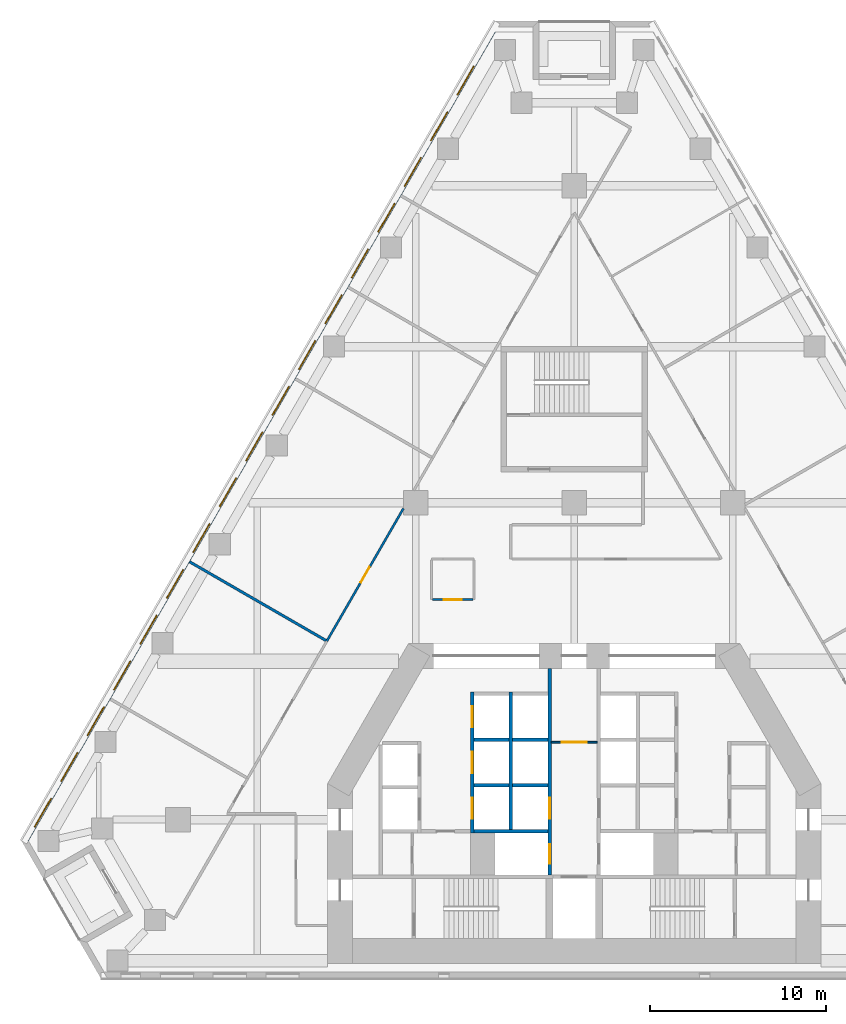
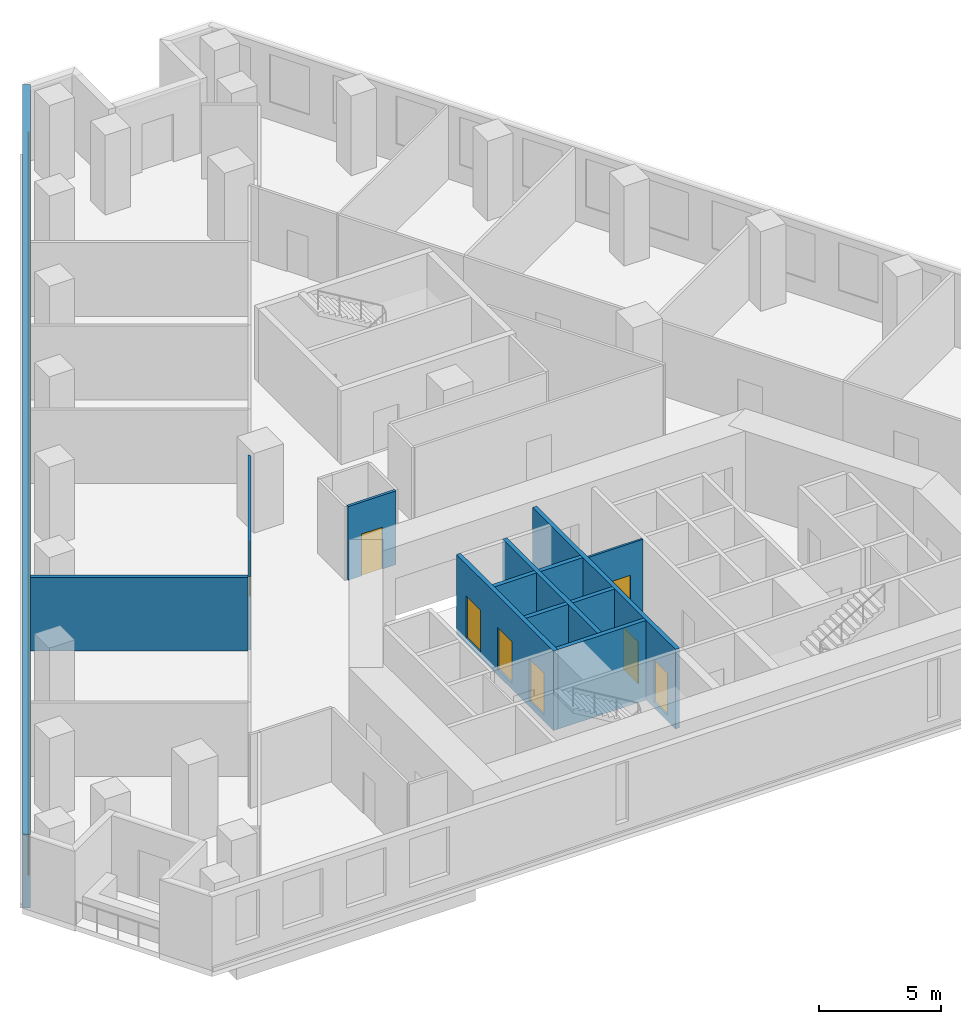
# One storey, part 4 of 9: 17 windows, 13 walls, 8 doors, 25 openings.
"""IFC4 building model written with IfcOpenShell, lengths in metres."""

from ifc_helpers import new_model, si_unit, direction, frame, frame_2d, origin, place, context, subcontext, project, spatial, rectangle, extrude, material, layer, layer_set, type_object, element, fill, save


model = new_model("IFC4")

# Units and contexts
model_context = context("Model", 3, precision=1e-05, world=origin(), true_north=direction((0.0, 1.0)))
body_context = subcontext(model_context, "Body", "Model", "MODEL_VIEW")
ifc_project = project(units=[si_unit("LENGTHUNIT", "METRE"), si_unit("AREAUNIT", "SQUARE_METRE"), si_unit("VOLUMEUNIT", "CUBIC_METRE"), si_unit("PLANEANGLEUNIT", "RADIAN"), si_unit("MASSUNIT", "GRAM", prefix="KILO")], contexts=[model_context])

# Site, building, storey
site_placement = place(None, origin())
site = spatial("IfcSite", under=ifc_project, at=site_placement, CompositionType="ELEMENT")
building_placement = place(site_placement, origin())
building = spatial("IfcBuilding", under=site, at=building_placement, Name="Fogline Exchange Tower", CompositionType="ELEMENT")
storey_placement = place(building_placement, frame((0.0, 0.0, 72.89990234375)))
storey = spatial("IfcBuildingStorey", under=building, at=storey_placement, Name="L15", CompositionType="ELEMENT", Elevation=72.89990234375)

# Wall, opening, door
ifc_material_1 = material(Name="Blockwork partition", Category="masonry")
ifc_layer_1 = layer(ifc_material_1, 0.10009765625)
ifc_layer_set_1 = layer_set([ifc_layer_1], Name="CW10")
wall_type_1 = type_object("IfcWallType", Name="CW10", PredefinedType="PARTITIONING", material=ifc_layer_set_1)
wall_1_placement = place(storey_placement, frame((-1.300048828125, 13.39990234375, 0.0), z_axis=(0.0, 0.0, 1.0), x_axis=(1.0, 0.0, 0.0)))
wall_1 = element("IfcWall", 1, at=wall_1_placement, inside=storey, type_object=wall_type_1, Name="Lift lobby partition", PredefinedType="PARTITIONING", context=body_context, shape_type="SweptSolid", body=[
    extrude(rectangle(XDim=2.60009765625, YDim=0.10009765625, at=frame_2d((1.300048828125, 0.0))), origin(), (0.0, 0.0, 1.0), 3.7001953125),
])
opening_1_placement = place(wall_1_placement, frame((0.60009765625, 0.0, 0.0)))
opening_1 = element("IfcOpeningElement", 2, at=opening_1_placement, cuts=wall_1, Name="Opening T04-C017", PredefinedType="OPENING", context=body_context, shape_type="SweptSolid", body=[
    extrude(rectangle(XDim=1.39990234375, YDim=2.10009765625, at=frame_2d((0.699951171875, 1.050048828125))), frame((0.0, 0.06005859375, 0.0), z_axis=(0.0, -1.0, 0.0), x_axis=(1.0, 0.0, 0.0)), (0.0, 0.0, 1.0), 0.1201171875),
])
ifc_material_2 = material(Name="Steel and timber fire door", Category="steel")
door_type_1 = type_object("IfcDoorType", Name="D-LB1", OperationType="DOUBLE_DOOR_SINGLE_SWING", PredefinedType="DOOR", material=ifc_material_2)
door_1_placement = place(opening_1_placement, origin())
door_1 = element("IfcDoor", 3, at=door_1_placement, inside=storey, type_object=door_type_1, Name="Door to firefighting lift lobby", OperationType="DOUBLE_DOOR_SINGLE_SWING", OverallHeight=2.10009765625, OverallWidth=1.39990234375, PredefinedType="DOOR", context=body_context, shape_type="SweptSolid", body=[
    extrude(rectangle(XDim=1.39990234375, YDim=2.10009765625, at=frame_2d((0.699951171875, 1.050048828125))), frame((0.0, 0.02490234375, 0.0), z_axis=(0.0, -1.0, 0.0), x_axis=(1.0, 0.0, 0.0)), (0.0, 0.0, 1.0), 0.050048828125),
])
fill(opening_1, door_1)

# Wall, openings, doors
ifc_material_3 = material(Name="Concrete C40", Category="concrete")
ifc_layer_2 = layer(ifc_material_3, 0.199951171875)
ifc_layer_set_2 = layer_set([ifc_layer_2], Name="CW20S")
wall_type_2 = type_object("IfcWallType", Name="CW20S", PredefinedType="SOLIDWALL", material=ifc_layer_set_2)
wall_2_placement = place(storey_placement, frame((-5.800048828125, 8.25, -0.2998046875), z_axis=(0.0, 0.0, 1.0), x_axis=(0.0, 1.0, 0.0)))
wall_2 = element("IfcWall", 4, at=wall_2_placement, inside=storey, type_object=wall_type_2, Name="Lift shaft wall", PredefinedType="SOLIDWALL", context=body_context, shape_type="SweptSolid", body=[
    extrude(rectangle(XDim=8.0, YDim=0.199951171875, at=frame_2d((4.0, 0.0))), origin(), (0.0, 0.0, 1.0), 4.0),
])
opening_2_placement = place(wall_2_placement, frame((0.800048828125, 0.0, 0.300048828125)))
opening_2 = element("IfcOpeningElement", 5, at=opening_2_placement, cuts=wall_2, Name="Opening T04-LD03", PredefinedType="OPENING", context=body_context, shape_type="SweptSolid", body=[
    extrude(rectangle(XDim=1.199951171875, YDim=2.10009765625, at=frame_2d((0.60009765625, 1.050048828125))), frame((0.0, 0.10986328125, 0.0), z_axis=(0.0, -1.0, 0.0), x_axis=(1.0, 0.0, 0.0)), (0.0, 0.0, 1.0), 0.219970703125),
])
opening_3_placement = place(wall_2_placement, frame((3.39990234375, 0.0, 0.300048828125)))
opening_3 = element("IfcOpeningElement", 6, at=opening_3_placement, cuts=wall_2, Name="Opening T04-LD04", PredefinedType="OPENING", context=body_context, shape_type="SweptSolid", body=[
    extrude(rectangle(XDim=1.199951171875, YDim=2.10009765625, at=frame_2d((0.60009765625, 1.050048828125))), frame((0.0, 0.10986328125, 0.0), z_axis=(0.0, -1.0, 0.0), x_axis=(1.0, 0.0, 0.0)), (0.0, 0.0, 1.0), 0.219970703125),
])
opening_4_placement = place(wall_2_placement, frame((6.0, 0.0, 0.300048828125)))
opening_4 = element("IfcOpeningElement", 7, at=opening_4_placement, cuts=wall_2, Name="Opening T04-LD05", PredefinedType="OPENING", context=body_context, shape_type="SweptSolid", body=[
    extrude(rectangle(XDim=1.199951171875, YDim=2.10009765625, at=frame_2d((0.60009765625, 1.050048828125))), frame((0.0, 0.10986328125, 0.0), z_axis=(0.0, -1.0, 0.0), x_axis=(1.0, 0.0, 0.0)), (0.0, 0.0, 1.0), 0.219970703125),
])
door_type_2 = type_object("IfcDoorType", Name="LD1", OperationType="SLIDING_TO_LEFT", PredefinedType="DOOR", material=ifc_material_2)
door_2_placement = place(opening_2_placement, origin())
door_2 = element("IfcDoor", 8, at=door_2_placement, inside=storey, type_object=door_type_2, Name="Landing door LR3", OperationType="SLIDING_TO_LEFT", OverallHeight=2.10009765625, OverallWidth=1.199951171875, PredefinedType="DOOR", context=body_context, shape_type="SweptSolid", body=[
    extrude(rectangle(XDim=1.199951171875, YDim=2.10009765625, at=frame_2d((0.60009765625, 1.050048828125))), frame((0.0, 0.02490234375, 0.0), z_axis=(0.0, -1.0, 0.0), x_axis=(1.0, 0.0, 0.0)), (0.0, 0.0, 1.0), 0.050048828125),
])
fill(opening_2, door_2)
door_3_placement = place(opening_3_placement, origin())
door_3 = element("IfcDoor", 9, at=door_3_placement, inside=storey, type_object=door_type_2, Name="Landing door LR4", OperationType="SLIDING_TO_LEFT", OverallHeight=2.10009765625, OverallWidth=1.199951171875, PredefinedType="DOOR", context=body_context, shape_type="SweptSolid", body=[
    extrude(rectangle(XDim=1.199951171875, YDim=2.10009765625, at=frame_2d((0.60009765625, 1.050048828125))), frame((0.0, 0.02490234375, 0.0), z_axis=(0.0, -1.0, 0.0), x_axis=(1.0, 0.0, 0.0)), (0.0, 0.0, 1.0), 0.050048828125),
])
fill(opening_3, door_3)
door_4_placement = place(opening_4_placement, origin())
door_4 = element("IfcDoor", 10, at=door_4_placement, inside=storey, type_object=door_type_2, Name="Landing door LR5", OperationType="SLIDING_TO_LEFT", OverallHeight=2.10009765625, OverallWidth=1.199951171875, PredefinedType="DOOR", context=body_context, shape_type="SweptSolid", body=[
    extrude(rectangle(XDim=1.199951171875, YDim=2.10009765625, at=frame_2d((0.60009765625, 1.050048828125))), frame((0.0, 0.02490234375, 0.0), z_axis=(0.0, -1.0, 0.0), x_axis=(1.0, 0.0, 0.0)), (0.0, 0.0, 1.0), 0.050048828125),
])
fill(opening_4, door_4)

# Wall
wall_3_placement = place(storey_placement, frame((-3.60009765625, 8.449951171875, -0.2998046875), z_axis=(0.0, 0.0, 1.0), x_axis=(0.0, 1.0, 0.0)))
element("IfcWall", 11, at=wall_3_placement, inside=storey, type_object=wall_type_2, Name="Lift shaft wall", PredefinedType="SOLIDWALL", context=body_context, shape_type="SweptSolid", body=[
    extrude(rectangle(XDim=7.800048828125, YDim=0.199951171875, at=frame_2d((3.89990234375, 0.0))), origin(), (0.0, 0.0, 1.0), 4.0),
])

# Wall, openings, doors
wall_4_placement = place(storey_placement, frame((-1.39990234375, 5.85009765625, -0.2998046875), z_axis=(0.0, 0.0, 1.0), x_axis=(0.0, 1.0, 0.0)))
wall_4 = element("IfcWall", 12, at=wall_4_placement, inside=storey, type_object=wall_type_2, Name="Lift lobby wall", PredefinedType="SOLIDWALL", context=body_context, shape_type="SweptSolid", body=[
    extrude(rectangle(XDim=11.75, YDim=0.199951171875, at=frame_2d((5.875, 0.0))), origin(), (0.0, 0.0, 1.0), 4.0),
])
opening_5_placement = place(wall_4_placement, frame((3.199951171875, 0.0, 0.300048828125)))
opening_5 = element("IfcOpeningElement", 13, at=opening_5_placement, cuts=wall_4, Name="Opening T04-LD06", PredefinedType="OPENING", context=body_context, shape_type="SweptSolid", body=[
    extrude(rectangle(XDim=1.199951171875, YDim=2.10009765625, at=frame_2d((0.60009765625, 1.050048828125))), frame((0.0, 0.10986328125, 0.0), z_axis=(0.0, -1.0, 0.0), x_axis=(1.0, 0.0, 0.0)), (0.0, 0.0, 1.0), 0.219970703125),
])
opening_6_placement = place(wall_4_placement, frame((0.64990234375, 0.0, 0.300048828125)))
opening_6 = element("IfcOpeningElement", 14, at=opening_6_placement, cuts=wall_4, Name="Opening T04-LD07", PredefinedType="OPENING", context=body_context, shape_type="SweptSolid", body=[
    extrude(rectangle(XDim=1.10009765625, YDim=2.10009765625, at=frame_2d((0.550048828125, 1.050048828125))), frame((0.0, 0.10986328125, 0.0), z_axis=(0.0, -1.0, 0.0), x_axis=(1.0, 0.0, 0.0)), (0.0, 0.0, 1.0), 0.219970703125),
])
door_5_placement = place(opening_5_placement, origin())
door_5 = element("IfcDoor", 15, at=door_5_placement, inside=storey, type_object=door_type_2, Name="Landing door LR6", OperationType="SLIDING_TO_LEFT", OverallHeight=2.10009765625, OverallWidth=1.199951171875, PredefinedType="DOOR", context=body_context, shape_type="SweptSolid", body=[
    extrude(rectangle(XDim=1.199951171875, YDim=2.10009765625, at=frame_2d((0.60009765625, 1.050048828125))), frame((0.0, 0.02490234375, 0.0), z_axis=(0.0, -1.0, 0.0), x_axis=(1.0, 0.0, 0.0)), (0.0, 0.0, 1.0), 0.050048828125),
])
fill(opening_5, door_5)
door_type_3 = type_object("IfcDoorType", Name="LD2", OperationType="SLIDING_TO_RIGHT", PredefinedType="DOOR", material=ifc_material_2)
door_6_placement = place(opening_6_placement, origin())
door_6 = element("IfcDoor", 16, at=door_6_placement, inside=storey, type_object=door_type_3, Name="Landing door FF1", OperationType="SLIDING_TO_RIGHT", OverallHeight=2.10009765625, OverallWidth=1.10009765625, PredefinedType="DOOR", context=body_context, shape_type="SweptSolid", body=[
    extrude(rectangle(XDim=1.10009765625, YDim=2.10009765625, at=frame_2d((0.550048828125, 1.050048828125))), frame((0.0, 0.02490234375, 0.0), z_axis=(0.0, -1.0, 0.0), x_axis=(1.0, 0.0, 0.0)), (0.0, 0.0, 1.0), 0.050048828125),
])
fill(opening_6, door_6)

# Walls
wall_5_placement = place(storey_placement, frame((-5.699951171875, 8.35009765625, -0.2998046875), z_axis=(0.0, 0.0, 1.0), x_axis=(1.0, 0.0, 0.0)))
element("IfcWall", 17, at=wall_5_placement, inside=storey, type_object=wall_type_2, Name="Lift shaft wall", PredefinedType="SOLIDWALL", context=body_context, shape_type="SweptSolid", body=[
    extrude(rectangle(XDim=4.199951171875, YDim=0.199951171875, at=frame_2d((2.10009765625, 0.0))), origin(), (0.0, 0.0, 1.0), 4.0),
])
for number, where, z_axis, x_axis, name in (
    (18, (-5.699951171875, 10.949951171875, -0.2998046875), (0.0, 0.0, 1.0), (1.0, 0.0, 0.0), "Lift shaft wall"),
    (19, (-5.699951171875, 13.550048828125, -0.2998046875), (0.0, 0.0, 1.0), (1.0, 0.0, 0.0), "Lift shaft wall"),
    (20, (-3.5, 10.949951171875, -0.2998046875), (0.0, 0.0, 1.0), (1.0, 0.0, 0.0), "Lift shaft wall"),
    (21, (-3.5, 13.550048828125, -0.2998046875), (0.0, 0.0, 1.0), (1.0, 0.0, 0.0), "Lift shaft wall"),
):
    element("IfcWall", number, at=place(storey_placement, frame(where, z_axis=z_axis, x_axis=x_axis)), inside=storey, type_object=wall_type_2, Name=name, PredefinedType="SOLIDWALL", context=body_context, shape_type="SweptSolid", body=[
        extrude(rectangle(XDim=2.0, YDim=0.199951171875, at=frame_2d((1.0, 0.0))), origin(), (0.0, 0.0, 1.0), 4.0),
    ])

# Wall, openings, windows
ifc_material_4 = material(Name="Brick masonry", Category="masonry")
ifc_layer_3 = layer(ifc_material_4, 0.340087890625)
ifc_layer_set_3 = layer_set([ifc_layer_3], Name="FW1")
wall_type_3 = type_object("IfcWallType", Name="FW1", PredefinedType="SOLIDWALL", material=ifc_layer_set_3)
wall_6_placement = place(storey_placement, frame((-4.352783203125, 54.271728515625, 0.0), z_axis=(0.0, 0.0, 1.0), x_axis=(-0.499999171277, -0.866025882247, 0.0)))
wall_6 = element("IfcWall", 22, at=wall_6_placement, inside=storey, type_object=wall_type_3, Name="Brick wall L15 W", PredefinedType="SOLIDWALL", context=body_context, shape_type="SweptSolid", body=[
    extrude(rectangle(XDim=53.765625, YDim=0.340087890625, at=frame_2d((26.8828125, 0.0))), origin(), (0.0, 0.0, 1.0), 3.7001953125),
])
opening_7_placement = place(wall_6_placement, frame((2.82421875, 0.0, 0.89990234375)))
opening_7 = element("IfcOpeningElement", 23, at=opening_7_placement, cuts=wall_6, Name="Opening W1", PredefinedType="OPENING", context=body_context, shape_type="SweptSolid", body=[
    extrude(rectangle(XDim=1.885009765625, YDim=2.39990234375, at=frame_2d((0.9423828125, 1.199951171875))), frame((0.0, 0.18017578125, 0.0), z_axis=(0.0, -1.0, 0.0), x_axis=(1.0, 0.0, 0.0)), (0.0, 0.0, 1.0), 0.360107421875),
])
opening_8_placement = place(wall_6_placement, frame((5.82421875, 0.0, 0.89990234375)))
opening_8 = element("IfcOpeningElement", 24, at=opening_8_placement, cuts=wall_6, Name="Opening W1", PredefinedType="OPENING", context=body_context, shape_type="SweptSolid", body=[
    extrude(rectangle(XDim=1.885009765625, YDim=2.39990234375, at=frame_2d((0.9423828125, 1.199951171875))), frame((0.0, 0.18017578125, 0.0), z_axis=(0.0, -1.0, 0.0), x_axis=(1.0, 0.0, 0.0)), (0.0, 0.0, 1.0), 0.360107421875),
])
opening_9_placement = place(wall_6_placement, frame((8.82421875, 0.0, 0.89990234375)))
opening_9 = element("IfcOpeningElement", 25, at=opening_9_placement, cuts=wall_6, Name="Opening W1", PredefinedType="OPENING", context=body_context, shape_type="SweptSolid", body=[
    extrude(rectangle(XDim=1.885009765625, YDim=2.39990234375, at=frame_2d((0.9423828125, 1.199951171875))), frame((0.0, 0.18017578125, 0.0), z_axis=(0.0, -1.0, 0.0), x_axis=(1.0, 0.0, 0.0)), (0.0, 0.0, 1.0), 0.360107421875),
])
opening_10_placement = place(wall_6_placement, frame((11.82421875, 0.0, 0.89990234375)))
opening_10 = element("IfcOpeningElement", 26, at=opening_10_placement, cuts=wall_6, Name="Opening W1", PredefinedType="OPENING", context=body_context, shape_type="SweptSolid", body=[
    extrude(rectangle(XDim=1.885009765625, YDim=2.39990234375, at=frame_2d((0.9423828125, 1.199951171875))), frame((0.0, 0.18017578125, 0.0), z_axis=(0.0, -1.0, 0.0), x_axis=(1.0, 0.0, 0.0)), (0.0, 0.0, 1.0), 0.360107421875),
])
opening_11_placement = place(wall_6_placement, frame((14.82421875, 0.0, 0.89990234375)))
opening_11 = element("IfcOpeningElement", 27, at=opening_11_placement, cuts=wall_6, Name="Opening W1", PredefinedType="OPENING", context=body_context, shape_type="SweptSolid", body=[
    extrude(rectangle(XDim=1.885009765625, YDim=2.39990234375, at=frame_2d((0.9423828125, 1.199951171875))), frame((0.0, 0.18017578125, 0.0), z_axis=(0.0, -1.0, 0.0), x_axis=(1.0, 0.0, 0.0)), (0.0, 0.0, 1.0), 0.360107421875),
])
opening_12_placement = place(wall_6_placement, frame((17.82421875, 0.0, 0.89990234375)))
opening_12 = element("IfcOpeningElement", 28, at=opening_12_placement, cuts=wall_6, Name="Opening W1", PredefinedType="OPENING", context=body_context, shape_type="SweptSolid", body=[
    extrude(rectangle(XDim=1.885009765625, YDim=2.39990234375, at=frame_2d((0.9423828125, 1.199951171875))), frame((0.0, 0.18017578125, 0.0), z_axis=(0.0, -1.0, 0.0), x_axis=(1.0, 0.0, 0.0)), (0.0, 0.0, 1.0), 0.360107421875),
])
opening_13_placement = place(wall_6_placement, frame((20.82421875, 0.0, 0.89990234375)))
opening_13 = element("IfcOpeningElement", 29, at=opening_13_placement, cuts=wall_6, Name="Opening W1", PredefinedType="OPENING", context=body_context, shape_type="SweptSolid", body=[
    extrude(rectangle(XDim=1.885009765625, YDim=2.39990234375, at=frame_2d((0.9423828125, 1.199951171875))), frame((0.0, 0.18017578125, 0.0), z_axis=(0.0, -1.0, 0.0), x_axis=(1.0, 0.0, 0.0)), (0.0, 0.0, 1.0), 0.360107421875),
])
opening_14_placement = place(wall_6_placement, frame((23.82421875, 0.0, 0.89990234375)))
opening_14 = element("IfcOpeningElement", 30, at=opening_14_placement, cuts=wall_6, Name="Opening W1", PredefinedType="OPENING", context=body_context, shape_type="SweptSolid", body=[
    extrude(rectangle(XDim=1.885009765625, YDim=2.39990234375, at=frame_2d((0.9423828125, 1.199951171875))), frame((0.0, 0.18017578125, 0.0), z_axis=(0.0, -1.0, 0.0), x_axis=(1.0, 0.0, 0.0)), (0.0, 0.0, 1.0), 0.360107421875),
])
opening_15_placement = place(wall_6_placement, frame((26.82421875, 0.0, 0.89990234375)))
opening_15 = element("IfcOpeningElement", 31, at=opening_15_placement, cuts=wall_6, Name="Opening W1", PredefinedType="OPENING", context=body_context, shape_type="SweptSolid", body=[
    extrude(rectangle(XDim=1.885009765625, YDim=2.39990234375, at=frame_2d((0.9423828125, 1.199951171875))), frame((0.0, 0.18017578125, 0.0), z_axis=(0.0, -1.0, 0.0), x_axis=(1.0, 0.0, 0.0)), (0.0, 0.0, 1.0), 0.360107421875),
])
opening_16_placement = place(wall_6_placement, frame((29.82421875, 0.0, 0.89990234375)))
opening_16 = element("IfcOpeningElement", 32, at=opening_16_placement, cuts=wall_6, Name="Opening W1", PredefinedType="OPENING", context=body_context, shape_type="SweptSolid", body=[
    extrude(rectangle(XDim=1.885009765625, YDim=2.39990234375, at=frame_2d((0.9423828125, 1.199951171875))), frame((0.0, 0.18017578125, 0.0), z_axis=(0.0, -1.0, 0.0), x_axis=(1.0, 0.0, 0.0)), (0.0, 0.0, 1.0), 0.360107421875),
])
opening_17_placement = place(wall_6_placement, frame((32.82421875, 0.0, 0.89990234375)))
opening_17 = element("IfcOpeningElement", 33, at=opening_17_placement, cuts=wall_6, Name="Opening W1", PredefinedType="OPENING", context=body_context, shape_type="SweptSolid", body=[
    extrude(rectangle(XDim=1.885009765625, YDim=2.39990234375, at=frame_2d((0.9423828125, 1.199951171875))), frame((0.0, 0.18017578125, 0.0), z_axis=(0.0, -1.0, 0.0), x_axis=(1.0, 0.0, 0.0)), (0.0, 0.0, 1.0), 0.360107421875),
])
opening_18_placement = place(wall_6_placement, frame((35.82421875, 0.0, 0.89990234375)))
opening_18 = element("IfcOpeningElement", 34, at=opening_18_placement, cuts=wall_6, Name="Opening W1", PredefinedType="OPENING", context=body_context, shape_type="SweptSolid", body=[
    extrude(rectangle(XDim=1.885009765625, YDim=2.39990234375, at=frame_2d((0.9423828125, 1.199951171875))), frame((0.0, 0.18017578125, 0.0), z_axis=(0.0, -1.0, 0.0), x_axis=(1.0, 0.0, 0.0)), (0.0, 0.0, 1.0), 0.360107421875),
])
opening_19_placement = place(wall_6_placement, frame((38.82421875, 0.0, 0.89990234375)))
opening_19 = element("IfcOpeningElement", 35, at=opening_19_placement, cuts=wall_6, Name="Opening W1", PredefinedType="OPENING", context=body_context, shape_type="SweptSolid", body=[
    extrude(rectangle(XDim=1.885009765625, YDim=2.39990234375, at=frame_2d((0.9423828125, 1.199951171875))), frame((0.0, 0.18017578125, 0.0), z_axis=(0.0, -1.0, 0.0), x_axis=(1.0, 0.0, 0.0)), (0.0, 0.0, 1.0), 0.360107421875),
])
opening_20_placement = place(wall_6_placement, frame((41.82421875, 0.0, 0.89990234375)))
opening_20 = element("IfcOpeningElement", 36, at=opening_20_placement, cuts=wall_6, Name="Opening W1", PredefinedType="OPENING", context=body_context, shape_type="SweptSolid", body=[
    extrude(rectangle(XDim=1.885009765625, YDim=2.39990234375, at=frame_2d((0.9423828125, 1.199951171875))), frame((0.0, 0.18017578125, 0.0), z_axis=(0.0, -1.0, 0.0), x_axis=(1.0, 0.0, 0.0)), (0.0, 0.0, 1.0), 0.360107421875),
])
opening_21_placement = place(wall_6_placement, frame((44.82421875, 0.0, 0.89990234375)))
opening_21 = element("IfcOpeningElement", 37, at=opening_21_placement, cuts=wall_6, Name="Opening W1", PredefinedType="OPENING", context=body_context, shape_type="SweptSolid", body=[
    extrude(rectangle(XDim=1.885009765625, YDim=2.39990234375, at=frame_2d((0.9423828125, 1.199951171875))), frame((0.0, 0.18017578125, 0.0), z_axis=(0.0, -1.0, 0.0), x_axis=(1.0, 0.0, 0.0)), (0.0, 0.0, 1.0), 0.360107421875),
])
opening_22_placement = place(wall_6_placement, frame((47.82421875, 0.0, 0.89990234375)))
opening_22 = element("IfcOpeningElement", 38, at=opening_22_placement, cuts=wall_6, Name="Opening W1", PredefinedType="OPENING", context=body_context, shape_type="SweptSolid", body=[
    extrude(rectangle(XDim=1.885009765625, YDim=2.39990234375, at=frame_2d((0.9423828125, 1.199951171875))), frame((0.0, 0.18017578125, 0.0), z_axis=(0.0, -1.0, 0.0), x_axis=(1.0, 0.0, 0.0)), (0.0, 0.0, 1.0), 0.360107421875),
])
opening_23_placement = place(wall_6_placement, frame((50.82421875, 0.0, 0.89990234375)))
opening_23 = element("IfcOpeningElement", 39, at=opening_23_placement, cuts=wall_6, Name="Opening W1", PredefinedType="OPENING", context=body_context, shape_type="SweptSolid", body=[
    extrude(rectangle(XDim=1.885009765625, YDim=2.39990234375, at=frame_2d((0.9423828125, 1.199951171875))), frame((0.0, 0.18017578125, 0.0), z_axis=(0.0, -1.0, 0.0), x_axis=(1.0, 0.0, 0.0)), (0.0, 0.0, 1.0), 0.360107421875),
])
ifc_material_5 = material(Name="Aluminium and glass", Category="aluminium")
window_type = type_object("IfcWindowType", Name="W1", PartitioningType="SINGLE_PANEL", PredefinedType="WINDOW", material=ifc_material_5)
window_1_placement = place(opening_7_placement, origin())
window_1 = element("IfcWindow", 40, at=window_1_placement, inside=storey, type_object=window_type, Name="W1 W1", OverallHeight=2.39990234375, OverallWidth=1.885009765625, PartitioningType="SINGLE_PANEL", PredefinedType="WINDOW", context=body_context, shape_type="SweptSolid", body=[
    extrude(rectangle(XDim=1.885009765625, YDim=2.39990234375, at=frame_2d((0.9423828125, 1.199951171875))), frame((0.0, 0.110107421875, 0.0), z_axis=(0.0, -1.0, 0.0), x_axis=(1.0, 0.0, 0.0)), (0.0, 0.0, 1.0), 0.06005859375),
])
fill(opening_7, window_1)
window_2_placement = place(opening_8_placement, origin())
window_2 = element("IfcWindow", 41, at=window_2_placement, inside=storey, type_object=window_type, Name="W1 W1", OverallHeight=2.39990234375, OverallWidth=1.885009765625, PartitioningType="SINGLE_PANEL", PredefinedType="WINDOW", context=body_context, shape_type="SweptSolid", body=[
    extrude(rectangle(XDim=1.885009765625, YDim=2.39990234375, at=frame_2d((0.9423828125, 1.199951171875))), frame((0.0, 0.110107421875, 0.0), z_axis=(0.0, -1.0, 0.0), x_axis=(1.0, 0.0, 0.0)), (0.0, 0.0, 1.0), 0.06005859375),
])
fill(opening_8, window_2)
window_3_placement = place(opening_9_placement, origin())
window_3 = element("IfcWindow", 42, at=window_3_placement, inside=storey, type_object=window_type, Name="W1 W1", OverallHeight=2.39990234375, OverallWidth=1.885009765625, PartitioningType="SINGLE_PANEL", PredefinedType="WINDOW", context=body_context, shape_type="SweptSolid", body=[
    extrude(rectangle(XDim=1.885009765625, YDim=2.39990234375, at=frame_2d((0.9423828125, 1.199951171875))), frame((0.0, 0.110107421875, 0.0), z_axis=(0.0, -1.0, 0.0), x_axis=(1.0, 0.0, 0.0)), (0.0, 0.0, 1.0), 0.06005859375),
])
fill(opening_9, window_3)
window_4_placement = place(opening_10_placement, origin())
window_4 = element("IfcWindow", 43, at=window_4_placement, inside=storey, type_object=window_type, Name="W1 W1", OverallHeight=2.39990234375, OverallWidth=1.885009765625, PartitioningType="SINGLE_PANEL", PredefinedType="WINDOW", context=body_context, shape_type="SweptSolid", body=[
    extrude(rectangle(XDim=1.885009765625, YDim=2.39990234375, at=frame_2d((0.9423828125, 1.199951171875))), frame((0.0, 0.110107421875, 0.0), z_axis=(0.0, -1.0, 0.0), x_axis=(1.0, 0.0, 0.0)), (0.0, 0.0, 1.0), 0.06005859375),
])
fill(opening_10, window_4)
window_5_placement = place(opening_11_placement, origin())
window_5 = element("IfcWindow", 44, at=window_5_placement, inside=storey, type_object=window_type, Name="W1 W1", OverallHeight=2.39990234375, OverallWidth=1.885009765625, PartitioningType="SINGLE_PANEL", PredefinedType="WINDOW", context=body_context, shape_type="SweptSolid", body=[
    extrude(rectangle(XDim=1.885009765625, YDim=2.39990234375, at=frame_2d((0.9423828125, 1.199951171875))), frame((0.0, 0.110107421875, 0.0), z_axis=(0.0, -1.0, 0.0), x_axis=(1.0, 0.0, 0.0)), (0.0, 0.0, 1.0), 0.06005859375),
])
fill(opening_11, window_5)
window_6_placement = place(opening_12_placement, origin())
window_6 = element("IfcWindow", 45, at=window_6_placement, inside=storey, type_object=window_type, Name="W1 W1", OverallHeight=2.39990234375, OverallWidth=1.885009765625, PartitioningType="SINGLE_PANEL", PredefinedType="WINDOW", context=body_context, shape_type="SweptSolid", body=[
    extrude(rectangle(XDim=1.885009765625, YDim=2.39990234375, at=frame_2d((0.9423828125, 1.199951171875))), frame((0.0, 0.110107421875, 0.0), z_axis=(0.0, -1.0, 0.0), x_axis=(1.0, 0.0, 0.0)), (0.0, 0.0, 1.0), 0.06005859375),
])
fill(opening_12, window_6)
window_7_placement = place(opening_13_placement, origin())
window_7 = element("IfcWindow", 46, at=window_7_placement, inside=storey, type_object=window_type, Name="W1 W1", OverallHeight=2.39990234375, OverallWidth=1.885009765625, PartitioningType="SINGLE_PANEL", PredefinedType="WINDOW", context=body_context, shape_type="SweptSolid", body=[
    extrude(rectangle(XDim=1.885009765625, YDim=2.39990234375, at=frame_2d((0.9423828125, 1.199951171875))), frame((0.0, 0.110107421875, 0.0), z_axis=(0.0, -1.0, 0.0), x_axis=(1.0, 0.0, 0.0)), (0.0, 0.0, 1.0), 0.06005859375),
])
fill(opening_13, window_7)
window_8_placement = place(opening_14_placement, origin())
window_8 = element("IfcWindow", 47, at=window_8_placement, inside=storey, type_object=window_type, Name="W1 W1", OverallHeight=2.39990234375, OverallWidth=1.885009765625, PartitioningType="SINGLE_PANEL", PredefinedType="WINDOW", context=body_context, shape_type="SweptSolid", body=[
    extrude(rectangle(XDim=1.885009765625, YDim=2.39990234375, at=frame_2d((0.9423828125, 1.199951171875))), frame((0.0, 0.110107421875, 0.0), z_axis=(0.0, -1.0, 0.0), x_axis=(1.0, 0.0, 0.0)), (0.0, 0.0, 1.0), 0.06005859375),
])
fill(opening_14, window_8)
window_9_placement = place(opening_15_placement, origin())
window_9 = element("IfcWindow", 48, at=window_9_placement, inside=storey, type_object=window_type, Name="W1 W1", OverallHeight=2.39990234375, OverallWidth=1.885009765625, PartitioningType="SINGLE_PANEL", PredefinedType="WINDOW", context=body_context, shape_type="SweptSolid", body=[
    extrude(rectangle(XDim=1.885009765625, YDim=2.39990234375, at=frame_2d((0.9423828125, 1.199951171875))), frame((0.0, 0.110107421875, 0.0), z_axis=(0.0, -1.0, 0.0), x_axis=(1.0, 0.0, 0.0)), (0.0, 0.0, 1.0), 0.06005859375),
])
fill(opening_15, window_9)
window_10_placement = place(opening_16_placement, origin())
window_10 = element("IfcWindow", 49, at=window_10_placement, inside=storey, type_object=window_type, Name="W1 W1", OverallHeight=2.39990234375, OverallWidth=1.885009765625, PartitioningType="SINGLE_PANEL", PredefinedType="WINDOW", context=body_context, shape_type="SweptSolid", body=[
    extrude(rectangle(XDim=1.885009765625, YDim=2.39990234375, at=frame_2d((0.9423828125, 1.199951171875))), frame((0.0, 0.110107421875, 0.0), z_axis=(0.0, -1.0, 0.0), x_axis=(1.0, 0.0, 0.0)), (0.0, 0.0, 1.0), 0.06005859375),
])
fill(opening_16, window_10)
window_11_placement = place(opening_17_placement, origin())
window_11 = element("IfcWindow", 50, at=window_11_placement, inside=storey, type_object=window_type, Name="W1 W1", OverallHeight=2.39990234375, OverallWidth=1.885009765625, PartitioningType="SINGLE_PANEL", PredefinedType="WINDOW", context=body_context, shape_type="SweptSolid", body=[
    extrude(rectangle(XDim=1.885009765625, YDim=2.39990234375, at=frame_2d((0.9423828125, 1.199951171875))), frame((0.0, 0.110107421875, 0.0), z_axis=(0.0, -1.0, 0.0), x_axis=(1.0, 0.0, 0.0)), (0.0, 0.0, 1.0), 0.06005859375),
])
fill(opening_17, window_11)
window_12_placement = place(opening_18_placement, origin())
window_12 = element("IfcWindow", 51, at=window_12_placement, inside=storey, type_object=window_type, Name="W1 W1", OverallHeight=2.39990234375, OverallWidth=1.885009765625, PartitioningType="SINGLE_PANEL", PredefinedType="WINDOW", context=body_context, shape_type="SweptSolid", body=[
    extrude(rectangle(XDim=1.885009765625, YDim=2.39990234375, at=frame_2d((0.9423828125, 1.199951171875))), frame((0.0, 0.110107421875, 0.0), z_axis=(0.0, -1.0, 0.0), x_axis=(1.0, 0.0, 0.0)), (0.0, 0.0, 1.0), 0.06005859375),
])
fill(opening_18, window_12)
window_13_placement = place(opening_19_placement, origin())
window_13 = element("IfcWindow", 52, at=window_13_placement, inside=storey, type_object=window_type, Name="W1 W1", OverallHeight=2.39990234375, OverallWidth=1.885009765625, PartitioningType="SINGLE_PANEL", PredefinedType="WINDOW", context=body_context, shape_type="SweptSolid", body=[
    extrude(rectangle(XDim=1.885009765625, YDim=2.39990234375, at=frame_2d((0.9423828125, 1.199951171875))), frame((0.0, 0.110107421875, 0.0), z_axis=(0.0, -1.0, 0.0), x_axis=(1.0, 0.0, 0.0)), (0.0, 0.0, 1.0), 0.06005859375),
])
fill(opening_19, window_13)
window_14_placement = place(opening_20_placement, origin())
window_14 = element("IfcWindow", 53, at=window_14_placement, inside=storey, type_object=window_type, Name="W1 W1", OverallHeight=2.39990234375, OverallWidth=1.885009765625, PartitioningType="SINGLE_PANEL", PredefinedType="WINDOW", context=body_context, shape_type="SweptSolid", body=[
    extrude(rectangle(XDim=1.885009765625, YDim=2.39990234375, at=frame_2d((0.9423828125, 1.199951171875))), frame((0.0, 0.110107421875, 0.0), z_axis=(0.0, -1.0, 0.0), x_axis=(1.0, 0.0, 0.0)), (0.0, 0.0, 1.0), 0.06005859375),
])
fill(opening_20, window_14)
window_15_placement = place(opening_21_placement, origin())
window_15 = element("IfcWindow", 54, at=window_15_placement, inside=storey, type_object=window_type, Name="W1 W1", OverallHeight=2.39990234375, OverallWidth=1.885009765625, PartitioningType="SINGLE_PANEL", PredefinedType="WINDOW", context=body_context, shape_type="SweptSolid", body=[
    extrude(rectangle(XDim=1.885009765625, YDim=2.39990234375, at=frame_2d((0.9423828125, 1.199951171875))), frame((0.0, 0.110107421875, 0.0), z_axis=(0.0, -1.0, 0.0), x_axis=(1.0, 0.0, 0.0)), (0.0, 0.0, 1.0), 0.06005859375),
])
fill(opening_21, window_15)
window_16_placement = place(opening_22_placement, origin())
window_16 = element("IfcWindow", 55, at=window_16_placement, inside=storey, type_object=window_type, Name="W1 W1", OverallHeight=2.39990234375, OverallWidth=1.885009765625, PartitioningType="SINGLE_PANEL", PredefinedType="WINDOW", context=body_context, shape_type="SweptSolid", body=[
    extrude(rectangle(XDim=1.885009765625, YDim=2.39990234375, at=frame_2d((0.9423828125, 1.199951171875))), frame((0.0, 0.110107421875, 0.0), z_axis=(0.0, -1.0, 0.0), x_axis=(1.0, 0.0, 0.0)), (0.0, 0.0, 1.0), 0.06005859375),
])
fill(opening_22, window_16)
window_17_placement = place(opening_23_placement, origin())
window_17 = element("IfcWindow", 56, at=window_17_placement, inside=storey, type_object=window_type, Name="W1 W1", OverallHeight=2.39990234375, OverallWidth=1.885009765625, PartitioningType="SINGLE_PANEL", PredefinedType="WINDOW", context=body_context, shape_type="SweptSolid", body=[
    extrude(rectangle(XDim=1.885009765625, YDim=2.39990234375, at=frame_2d((0.9423828125, 1.199951171875))), frame((0.0, 0.110107421875, 0.0), z_axis=(0.0, -1.0, 0.0), x_axis=(1.0, 0.0, 0.0)), (0.0, 0.0, 1.0), 0.06005859375),
])
fill(opening_23, window_17)

# Wall, opening, door
ifc_material_6 = material(Name="Plasterboard corridor partition with mineral wool, 2 layers each side")
ifc_layer_4 = layer(ifc_material_6, 0.125)
ifc_layer_set_4 = layer_set([ifc_layer_4], Name="PW2")
wall_type_4 = type_object("IfcWallType", Name="PW2", PredefinedType="PARTITIONING", material=ifc_layer_set_4)
wall_7_placement = place(storey_placement, frame((-8.03759765625, 21.5, 0.0), z_axis=(0.0, 0.0, 1.0), x_axis=(1.0, 0.0, 0.0)))
wall_7 = element("IfcWall", 57, at=wall_7_placement, inside=storey, type_object=wall_type_4, Name="wall-L15-W005", PredefinedType="PARTITIONING", context=body_context, shape_type="SweptSolid", body=[
    extrude(rectangle(XDim=2.275146484375, YDim=0.125, at=frame_2d((1.1376953125, 0.0))), origin(), (0.0, 0.0, 1.0), 3.7001953125),
])
opening_24_placement = place(wall_7_placement, frame((0.637451171875, 0.0, 0.0)))
opening_24 = element("IfcOpeningElement", 58, at=opening_24_placement, cuts=wall_7, Name="Opening T04-D003", PredefinedType="OPENING", context=body_context, shape_type="SweptSolid", body=[
    extrude(rectangle(XDim=1.0, YDim=2.10009765625, at=frame_2d((0.5, 1.050048828125))), frame((0.0, 0.072509765625, 0.0), z_axis=(0.0, -1.0, 0.0), x_axis=(1.0, 0.0, 0.0)), (0.0, 0.0, 1.0), 0.14501953125),
])
ifc_material_7 = material(Name="Fire-rated timber door leaf with steel frame", Category="steel")
door_type_4 = type_object("IfcDoorType", Name="D3", OperationType="SINGLE_SWING_LEFT", PredefinedType="DOOR", material=ifc_material_7)
door_7_placement = place(opening_24_placement, origin())
door_7 = element("IfcDoor", 59, at=door_7_placement, inside=storey, type_object=door_type_4, Name="door-L15-D003", OperationType="SINGLE_SWING_LEFT", OverallHeight=2.10009765625, OverallWidth=1.0, PredefinedType="DOOR", context=body_context, shape_type="SweptSolid", body=[
    extrude(rectangle(XDim=1.0, YDim=2.10009765625, at=frame_2d((0.5, 1.050048828125))), frame((0.0, 0.02490234375, 0.0), z_axis=(0.0, -1.0, 0.0), x_axis=(1.0, 0.0, 0.0)), (0.0, 0.0, 1.0), 0.050048828125),
])
fill(opening_24, door_7)

wall_8_placement = place(storey_placement, frame((-14.044677734375, 19.144775390625, 0.0), z_axis=(0.0, 0.0, 1.0), x_axis=(0.500007009791, 0.866021356642, 0.0)))
wall_8 = element("IfcWall", 60, at=wall_8_placement, inside=storey, type_object=wall_type_4, Name="wall-L15-W018", PredefinedType="PARTITIONING", context=body_context, shape_type="SweptSolid", body=[
    extrude(rectangle(XDim=8.689453125, YDim=0.125, at=frame_2d((4.3447265625, 0.0))), origin(), (0.0, 0.0, 1.0), 3.7001953125),
])
opening_25_placement = place(wall_8_placement, frame((3.8447265625, 0.0, 0.0)))
opening_25 = element("IfcOpeningElement", 61, at=opening_25_placement, cuts=wall_8, Name="Opening T04-D012", PredefinedType="OPENING", context=body_context, shape_type="SweptSolid", body=[
    extrude(rectangle(XDim=1.0, YDim=2.10009765625, at=frame_2d((0.5, 1.050048828125))), frame((0.0, 0.072509765625, 0.0), z_axis=(0.0, -1.0, 0.0), x_axis=(1.0, 0.0, 0.0)), (0.0, 0.0, 1.0), 0.14501953125),
])
door_8_placement = place(opening_25_placement, origin())
door_8 = element("IfcDoor", 62, at=door_8_placement, inside=storey, type_object=door_type_4, Name="door-L15-D012", OperationType="SINGLE_SWING_LEFT", OverallHeight=2.10009765625, OverallWidth=1.0, PredefinedType="DOOR", context=body_context, shape_type="SweptSolid", body=[
    extrude(rectangle(XDim=1.0, YDim=2.10009765625, at=frame_2d((0.5, 1.050048828125))), frame((0.0, 0.02490234375, 0.0), z_axis=(0.0, -1.0, 0.0), x_axis=(1.0, 0.0, 0.0)), (0.0, 0.0, 1.0), 0.050048828125),
])
fill(opening_25, door_8)

# Wall
ifc_material_8 = material(Name="Plasterboard demising partition with mineral wool and acoustic board")
ifc_layer_5 = layer(ifc_material_8, 0.14990234375)
ifc_layer_set_5 = layer_set([ifc_layer_5], Name="PW3")
wall_type_5 = type_object("IfcWallType", Name="PW3", PredefinedType="PARTITIONING", material=ifc_layer_set_5)
wall_9_placement = place(storey_placement, frame((-14.098876953125, 19.176025390625, 0.0), z_axis=(0.0, 0.0, 1.0), x_axis=(-0.866022276127, 0.500005417223, 0.0)))
element("IfcWall", 63, at=wall_9_placement, inside=storey, type_object=wall_type_5, Name="wall-L15-W043", PredefinedType="PARTITIONING", context=body_context, shape_type="SweptSolid", body=[
    extrude(rectangle(XDim=8.9375, YDim=0.14990234375, at=frame_2d((4.46875, 0.0))), origin(), (0.0, 0.0, 1.0), 3.7001953125),
])

save(model, "model.ifc")
